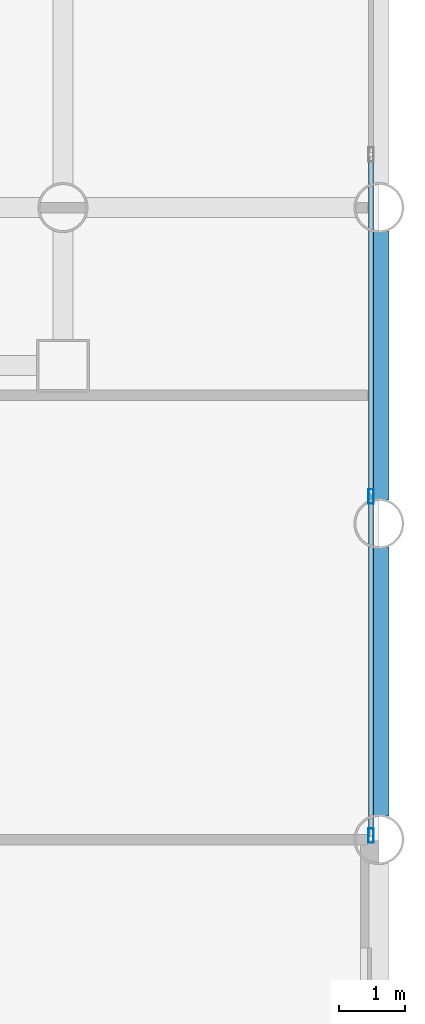
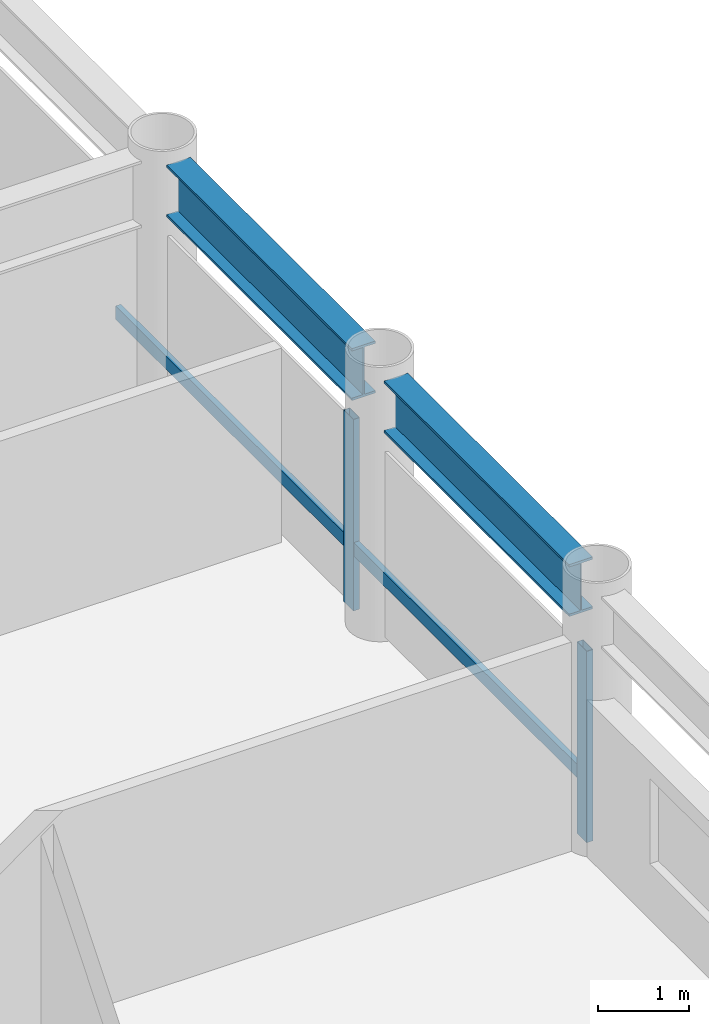
# One storey, part 8 of 22: 4 members, 2 beams, 1 element without a shape of its own.
"""IFC4 building model written with IfcOpenShell, lengths in metres."""

from ifc_helpers import new_model, si_unit, direction, frame, origin, origin_2d, place, context, subcontext, project, spatial, hollow_rectangle, i_section, extrude, material, layer, layer_set, material_profile, profile_set, type_object, element, aggregate, save


model = new_model("IFC4")

# Units and contexts
model_context = context("Model", 3, precision=1e-05, world=origin(), true_north=direction((0.0, 1.0)))
body_context = subcontext(model_context, "Body", "Model", "MODEL_VIEW")
ifc_project = project(units=[si_unit("LENGTHUNIT", "METRE"), si_unit("AREAUNIT", "SQUARE_METRE"), si_unit("VOLUMEUNIT", "CUBIC_METRE"), si_unit("PLANEANGLEUNIT", "RADIAN"), si_unit("MASSUNIT", "GRAM", prefix="KILO")], contexts=[model_context])

# Site, building, storey
site_placement = place(None, origin())
site = spatial("IfcSite", under=ifc_project, at=site_placement, CompositionType="ELEMENT")
building_placement = place(site_placement, origin())
building = spatial("IfcBuilding", under=site, at=building_placement, Name="Kallvorn Hotel Tower", CompositionType="ELEMENT")
storey_placement = place(building_placement, frame((0.0, 0.0, 48.5)))
storey = spatial("IfcBuildingStorey", under=building, at=storey_placement, Name="L10", CompositionType="ELEMENT", Elevation=48.5)

# Beams
ifc_material_1 = material(Name="Structural steel S355JR", Category="steel")
ifc_material_profile_1 = material_profile(ifc_material_1, i_section(OverallWidth=0.300048828125, OverallDepth=0.699951171875, WebThickness=0.01708984375, FlangeThickness=0.031982421875, at=origin_2d()), Name="HE 700 B")
ifc_profile_set_1 = profile_set([ifc_material_profile_1], Name="Structural steel S355JR")
beam_type = type_object("IfcBeamType", Name="BM_HE700B", PredefinedType="BEAM", material=ifc_profile_set_1)
beam_1_placement = place(storey_placement, frame((28.800048828125, 0.35595703125, 3.169921875), z_axis=(0.0, 1.0, 0.0), x_axis=(-1.0, 0.0, 0.0)))
element("IfcBeam", 1, at=beam_1_placement, inside=storey, type_object=beam_type, Name="L11 Primary Y-Girder 147", PredefinedType="BEAM", context=body_context, shape_type="SweptSolid", body=[
    extrude(i_section(OverallWidth=0.300048828125, OverallDepth=0.699951171875, WebThickness=0.01708984375, FlangeThickness=0.031982421875, at=origin_2d()), origin(), (0.0, 0.0, 1.0), 4.088134765625),
])
beam_2_placement = place(storey_placement, frame((28.800048828125, 5.156005859375, 3.169921875), z_axis=(0.0, 1.0, 0.0), x_axis=(-1.0, 0.0, 0.0)))
element("IfcBeam", 2, at=beam_2_placement, inside=storey, type_object=beam_type, Name="L11 Primary Y-Girder 148", PredefinedType="BEAM", context=body_context, shape_type="SweptSolid", body=[
    extrude(i_section(OverallWidth=0.300048828125, OverallDepth=0.699951171875, WebThickness=0.01708984375, FlangeThickness=0.031982421875, at=origin_2d()), origin(), (0.0, 0.0, 1.0), 4.087890625),
])

# Curtain wall, members
ifc_material_2 = material(Name="Thermally broken black-anodised aluminium AA 6063-T6", Category="aluminium")
ifc_layer = layer(ifc_material_2, 0.199951171875)
ifc_layer_set = layer_set([ifc_layer], Name="CW_SYS_3_HOTEL_LOW")
curtain_wall_type = type_object("IfcCurtainWallType", Name="CW_SYS_3_HOTEL_LOW", PredefinedType="USERDEFINED", material=ifc_layer_set)
curtain_wall_placement = place(storey_placement, origin())
curtain_wall = element("IfcCurtainWall", 3, at=curtain_wall_placement, inside=storey, type_object=curtain_wall_type, Name="L10 Dark-Glass Curtain Wall CW-L10-EN", ObjectType="UNITISED CURTAIN WALL", PredefinedType="USERDEFINED")
ifc_material_3 = material(Name="Thermally broken black-anodised aluminium AA 6063-T6", Category="aluminium")
ifc_material_profile_2 = material_profile(ifc_material_3, hollow_rectangle(XDim=0.080078125, YDim=0.219970703125, WallThickness=0.0048828125, at=origin_2d()), Name="MUL 220x80")
ifc_profile_set_2 = profile_set([ifc_material_profile_2], Name="Thermally broken black-anodised aluminium AA 6063-T6")
member_type_1 = type_object("IfcMemberType", Name="CW_MULLION_220x80", PredefinedType="MULLION", material=ifc_profile_set_2)
member_1_placement = place(storey_placement, frame((28.679931640625, 0.06005859375, 0.02001953125), z_axis=(0.0, 0.0, 1.0), x_axis=(1.0, 0.0, 0.0)))
member_1 = element("IfcMember", 4, at=member_1_placement, type_object=member_type_1, Name="CW-L10-EN Mullion 00", PredefinedType="MULLION", context=body_context, shape_type="SweptSolid", body=[
    extrude(hollow_rectangle(XDim=0.080078125, YDim=0.219970703125, WallThickness=0.0048828125, at=origin_2d()), origin(), (0.0, 0.0, 1.0), 2.580078125),
])
member_2_placement = place(storey_placement, frame((28.679931640625, 5.21337890625, 0.02001953125), z_axis=(0.0, 0.0, 1.0), x_axis=(1.0, 0.0, 0.0)))
member_2 = element("IfcMember", 5, at=member_2_placement, type_object=member_type_1, Name="CW-L10-EN Mullion 01", PredefinedType="MULLION", context=body_context, shape_type="SweptSolid", body=[
    extrude(hollow_rectangle(XDim=0.080078125, YDim=0.219970703125, WallThickness=0.0048828125, at=origin_2d()), origin(), (0.0, 0.0, 1.0), 2.580078125),
])
ifc_material_4 = material(Name="Thermally broken black-anodised aluminium AA 6063-T6", Category="aluminium")
ifc_material_profile_3 = material_profile(ifc_material_4, hollow_rectangle(XDim=0.070068359375, YDim=0.179931640625, WallThickness=0.00390625, at=origin_2d()), Name="TRN 180x70")
ifc_profile_set_3 = profile_set([ifc_material_profile_3], Name="Thermally broken black-anodised aluminium AA 6063-T6")
member_type_2 = type_object("IfcMemberType", Name="CW_TRANSOM_180x70", PredefinedType="USERDEFINED", material=ifc_profile_set_3)
member_3_placement = place(storey_placement, frame((28.679931640625, 0.06005859375, 0.85009765625), z_axis=(0.0, 1.0, 0.0), x_axis=(-1.0, 0.0, 0.0)))
member_3 = element("IfcMember", 6, at=member_3_placement, type_object=member_type_2, Name="CW-L10-EN Transom 00M", ObjectType="TRANSOM", PredefinedType="USERDEFINED", context=body_context, shape_type="SweptSolid", body=[
    extrude(hollow_rectangle(XDim=0.070068359375, YDim=0.179931640625, WallThickness=0.00390625, at=origin_2d()), origin(), (0.0, 0.0, 1.0), 5.11328125),
])
member_4_placement = place(storey_placement, frame((28.679931640625, 5.25341796875, 0.85009765625), z_axis=(0.0, 1.0, 0.0), x_axis=(-1.0, 0.0, 0.0)))
member_4 = element("IfcMember", 7, at=member_4_placement, type_object=member_type_2, Name="CW-L10-EN Transom 01M", ObjectType="TRANSOM", PredefinedType="USERDEFINED", context=body_context, shape_type="SweptSolid", body=[
    extrude(hollow_rectangle(XDim=0.070068359375, YDim=0.179931640625, WallThickness=0.00390625, at=origin_2d()), origin(), (0.0, 0.0, 1.0), 5.11328125),
])
aggregate(curtain_wall, [member_1, member_2, member_3, member_4])

save(model, "model.ifc")
